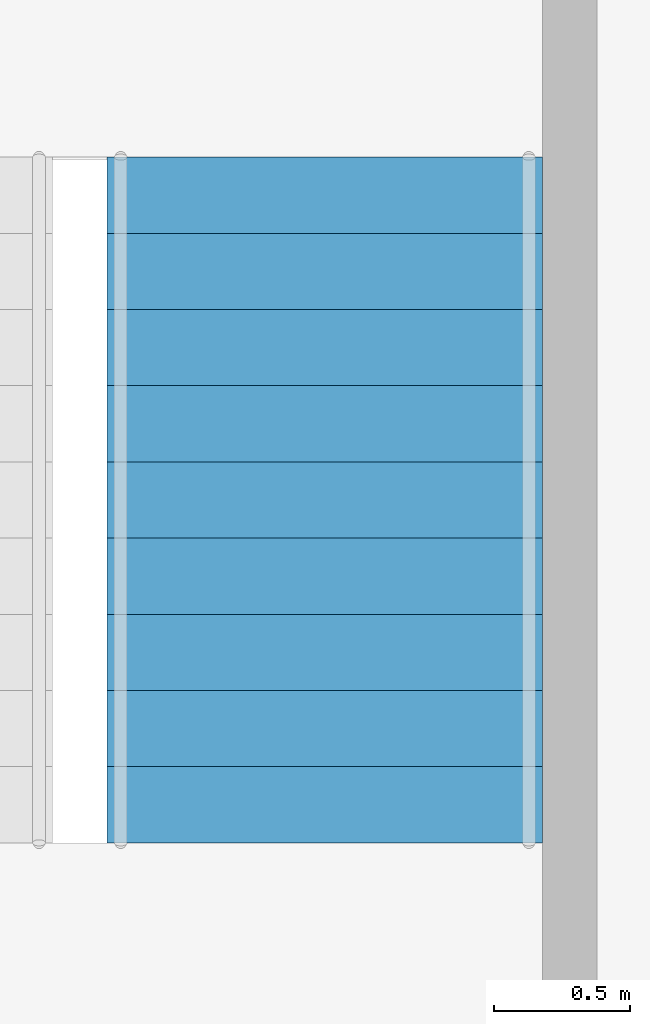
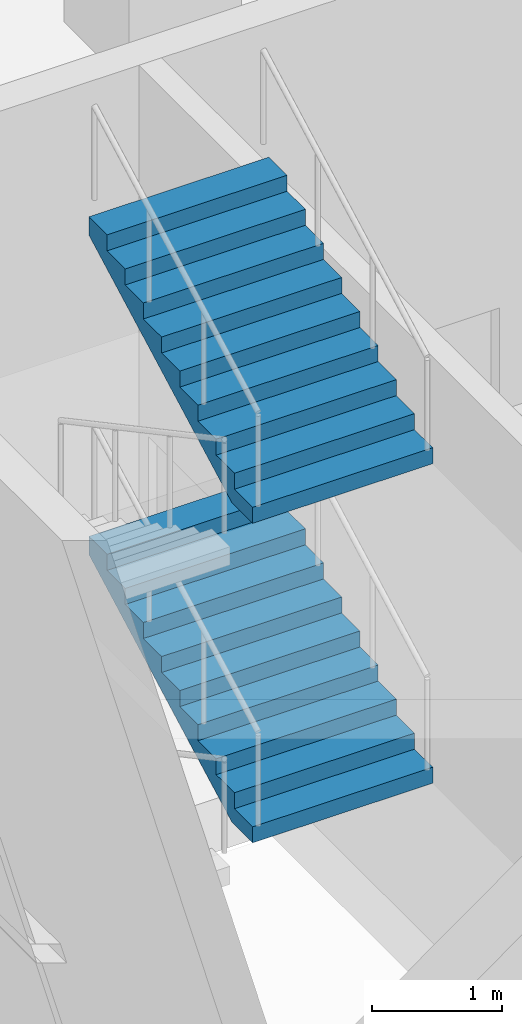
# One storey, part 75 of 100: 2 stair flights, 1 element without a shape of its own.
"""IFC4 building model written with IfcOpenShell, lengths in metres."""

from ifc_helpers import new_model, si_unit, direction, frame, origin, place, context, subcontext, project, spatial, triangles, material, type_object, element, aggregate, save


model = new_model("IFC4")

# Units and contexts
model_context = context("Model", 3, precision=1e-05, world=origin(), true_north=direction((0.0, 1.0)))
body_context = subcontext(model_context, "Body", "Model", "MODEL_VIEW")
ifc_project = project(units=[si_unit("LENGTHUNIT", "METRE"), si_unit("AREAUNIT", "SQUARE_METRE"), si_unit("VOLUMEUNIT", "CUBIC_METRE"), si_unit("PLANEANGLEUNIT", "RADIAN"), si_unit("MASSUNIT", "GRAM", prefix="KILO")], contexts=[model_context])

# Site, building, storey
site_placement = place(None, origin())
site = spatial("IfcSite", under=ifc_project, at=site_placement, CompositionType="ELEMENT")
building_placement = place(site_placement, origin())
building = spatial("IfcBuilding", under=site, at=building_placement, Name="Hakoniwa Tower and Hamabe Station Hall", CompositionType="ELEMENT")
storey_placement = place(building_placement, frame((0.0, 0.0, 9.0)))
storey = spatial("IfcBuildingStorey", under=building, at=storey_placement, Name="L02", CompositionType="ELEMENT", Elevation=9.0)

# Stair, stair flights
ifc_material_1 = material(Name="Concrete C40", Category="concrete")
stair_type = type_object("IfcStairType", Name="STAIR 1600 10X150", PredefinedType="HALF_TURN_STAIR", material=ifc_material_1)
stair_placement = place(storey_placement, origin())
stair = element("IfcStair", 1, at=stair_placement, inside=storey, type_object=stair_type, Name="Escape stair SS3 L02", PredefinedType="HALF_TURN_STAIR")
ifc_material_2 = material(Name="Concrete C40", Category="concrete")
stair_flight_type = type_object("IfcStairFlightType", Name="STAIR FLIGHT 1600", PredefinedType="STRAIGHT", material=ifc_material_2)
stair_flight_1_placement = place(storey_placement, frame((89.25, -19.419921875, 1.5), z_axis=(0.0, 0.0, 1.0), x_axis=(0.0, 1.0, 0.0)))
stair_flight_1 = element("IfcStairFlight", 2, at=stair_flight_1_placement, type_object=stair_flight_type, Name="SS3 flight 2", NumberOfRisers=10, NumberOfTreads=9, PredefinedType="STRAIGHT", RiserHeight=0.15, TreadLength=0.28, context=body_context, shape_type="Tessellation", body=[
    triangles([(0.0, 0.800048828125, 0.0), (0.280029296875, 0.800048828125, 0.0), (0.3173828125, 0.800048828125, 0.0), (0.56005859375, 0.800048828125, 0.1298828125), (0.840087890625, 0.800048828125, 0.280029296875), (1.1201171875, 0.800048828125, 0.429931640625), (1.39990234375, 0.800048828125, 0.579833984375), (1.679931640625, 0.800048828125, 0.72998046875), (1.9599609375, 0.800048828125, 0.8798828125), (2.239990234375, 0.800048828125, 1.030029296875), (2.52001953125, 0.800048828125, 1.179931640625), (2.52001953125, 0.800048828125, 1.35009765625), (2.239990234375, 0.800048828125, 1.35009765625), (2.239990234375, 0.800048828125, 1.199951171875), (1.9599609375, 0.800048828125, 1.199951171875), (1.9599609375, 0.800048828125, 1.050048828125), (1.679931640625, 0.800048828125, 1.050048828125), (1.679931640625, 0.800048828125, 0.89990234375), (1.39990234375, 0.800048828125, 0.89990234375), (1.39990234375, 0.800048828125, 0.75), (1.1201171875, 0.800048828125, 0.75), (1.1201171875, 0.800048828125, 0.60009765625), (0.840087890625, 0.800048828125, 0.60009765625), (0.840087890625, 0.800048828125, 0.449951171875), (0.56005859375, 0.800048828125, 0.449951171875), (0.56005859375, 0.800048828125, 0.300048828125), (0.3173828125, 0.800048828125, 0.300048828125), (0.280029296875, 0.800048828125, 0.300048828125), (0.280029296875, 0.800048828125, 0.14990234375), (0.0, 0.800048828125, 0.14990234375), (0.0, 0.06005859375, 0.0), (0.280029296875, 0.06005859375, 0.0), (0.3173828125, 0.06005859375, 0.0), (0.56005859375, 0.06005859375, 0.1298828125), (0.840087890625, 0.06005859375, 0.280029296875), (1.1201171875, 0.06005859375, 0.429931640625), (1.39990234375, 0.06005859375, 0.579833984375), (1.679931640625, 0.06005859375, 0.72998046875), (1.9599609375, 0.06005859375, 0.8798828125), (2.239990234375, 0.06005859375, 1.030029296875), (2.52001953125, 0.06005859375, 1.179931640625), (2.52001953125, 0.06005859375, 1.35009765625), (2.239990234375, 0.06005859375, 1.35009765625), (2.239990234375, 0.06005859375, 1.199951171875), (1.9599609375, 0.06005859375, 1.199951171875), (1.9599609375, 0.06005859375, 1.050048828125), (1.679931640625, 0.06005859375, 1.050048828125), (1.679931640625, 0.06005859375, 0.89990234375), (1.39990234375, 0.06005859375, 0.89990234375), (1.39990234375, 0.06005859375, 0.75), (1.1201171875, 0.06005859375, 0.75), (1.1201171875, 0.06005859375, 0.60009765625), (0.840087890625, 0.06005859375, 0.60009765625), (0.840087890625, 0.06005859375, 0.449951171875), (0.56005859375, 0.06005859375, 0.449951171875), (0.56005859375, 0.06005859375, 0.300048828125), (0.3173828125, 0.06005859375, 0.300048828125), (0.280029296875, 0.06005859375, 0.300048828125), (0.280029296875, 0.06005859375, 0.14990234375), (0.0, 0.06005859375, 0.14990234375), (0.0, 0.02001953125, 0.0), (0.280029296875, 0.02001953125, 0.0), (0.3173828125, 0.02001953125, 0.0), (0.56005859375, 0.02001953125, 0.1298828125), (0.840087890625, 0.02001953125, 0.280029296875), (1.1201171875, 0.02001953125, 0.429931640625), (1.39990234375, 0.02001953125, 0.579833984375), (1.679931640625, 0.02001953125, 0.72998046875), (1.9599609375, 0.02001953125, 0.8798828125), (2.239990234375, 0.02001953125, 1.030029296875), (2.52001953125, 0.02001953125, 1.179931640625), (2.52001953125, 0.02001953125, 1.35009765625), (2.239990234375, 0.02001953125, 1.35009765625), (2.239990234375, 0.02001953125, 1.199951171875), (1.9599609375, 0.02001953125, 1.199951171875), (1.9599609375, 0.02001953125, 1.050048828125), (1.679931640625, 0.02001953125, 1.050048828125), (1.679931640625, 0.02001953125, 0.89990234375), (1.39990234375, 0.02001953125, 0.89990234375), (1.39990234375, 0.02001953125, 0.75), (1.1201171875, 0.02001953125, 0.75), (1.1201171875, 0.02001953125, 0.60009765625), (0.840087890625, 0.02001953125, 0.60009765625), (0.840087890625, 0.02001953125, 0.449951171875), (0.56005859375, 0.02001953125, 0.449951171875), (0.56005859375, 0.02001953125, 0.300048828125), (0.3173828125, 0.02001953125, 0.300048828125), (0.280029296875, 0.02001953125, 0.300048828125), (0.280029296875, 0.02001953125, 0.14990234375), (0.0, 0.02001953125, 0.14990234375), (0.0, -0.02001953125, 0.0), (0.280029296875, -0.02001953125, 0.0), (0.3173828125, -0.02001953125, 0.0), (0.56005859375, -0.02001953125, 0.1298828125), (0.840087890625, -0.02001953125, 0.280029296875), (1.1201171875, -0.02001953125, 0.429931640625), (1.39990234375, -0.02001953125, 0.579833984375), (1.679931640625, -0.02001953125, 0.72998046875), (1.9599609375, -0.02001953125, 0.8798828125), (2.239990234375, -0.02001953125, 1.030029296875), (2.52001953125, -0.02001953125, 1.179931640625), (2.52001953125, -0.02001953125, 1.35009765625), (2.239990234375, -0.02001953125, 1.35009765625), (2.239990234375, -0.02001953125, 1.199951171875), (1.9599609375, -0.02001953125, 1.199951171875), (1.9599609375, -0.02001953125, 1.050048828125), (1.679931640625, -0.02001953125, 1.050048828125), (1.679931640625, -0.02001953125, 0.89990234375), (1.39990234375, -0.02001953125, 0.89990234375), (1.39990234375, -0.02001953125, 0.75), (1.1201171875, -0.02001953125, 0.75), (1.1201171875, -0.02001953125, 0.60009765625), (0.840087890625, -0.02001953125, 0.60009765625), (0.840087890625, -0.02001953125, 0.449951171875), (0.56005859375, -0.02001953125, 0.449951171875), (0.56005859375, -0.02001953125, 0.300048828125), (0.3173828125, -0.02001953125, 0.300048828125), (0.280029296875, -0.02001953125, 0.300048828125), (0.280029296875, -0.02001953125, 0.14990234375), (0.0, -0.02001953125, 0.14990234375), (0.0, -0.06005859375, 0.0), (0.280029296875, -0.06005859375, 0.0), (0.3173828125, -0.06005859375, 0.0), (0.56005859375, -0.06005859375, 0.1298828125), (0.840087890625, -0.06005859375, 0.280029296875), (1.1201171875, -0.06005859375, 0.429931640625), (1.39990234375, -0.06005859375, 0.579833984375), (1.679931640625, -0.06005859375, 0.72998046875), (1.9599609375, -0.06005859375, 0.8798828125), (2.239990234375, -0.06005859375, 1.030029296875), (2.52001953125, -0.06005859375, 1.179931640625), (2.52001953125, -0.06005859375, 1.35009765625), (2.239990234375, -0.06005859375, 1.35009765625), (2.239990234375, -0.06005859375, 1.199951171875), (1.9599609375, -0.06005859375, 1.199951171875), (1.9599609375, -0.06005859375, 1.050048828125), (1.679931640625, -0.06005859375, 1.050048828125), (1.679931640625, -0.06005859375, 0.89990234375), (1.39990234375, -0.06005859375, 0.89990234375), (1.39990234375, -0.06005859375, 0.75), (1.1201171875, -0.06005859375, 0.75), (1.1201171875, -0.06005859375, 0.60009765625), (0.840087890625, -0.06005859375, 0.60009765625), (0.840087890625, -0.06005859375, 0.449951171875), (0.56005859375, -0.06005859375, 0.449951171875), (0.56005859375, -0.06005859375, 0.300048828125), (0.3173828125, -0.06005859375, 0.300048828125), (0.280029296875, -0.06005859375, 0.300048828125), (0.280029296875, -0.06005859375, 0.14990234375), (0.0, -0.06005859375, 0.14990234375), (0.0, -0.800048828125, 0.0), (0.280029296875, -0.800048828125, 0.0), (0.3173828125, -0.800048828125, 0.0), (0.56005859375, -0.800048828125, 0.1298828125), (0.840087890625, -0.800048828125, 0.280029296875), (1.1201171875, -0.800048828125, 0.429931640625), (1.39990234375, -0.800048828125, 0.579833984375), (1.679931640625, -0.800048828125, 0.72998046875), (1.9599609375, -0.800048828125, 0.8798828125), (2.239990234375, -0.800048828125, 1.030029296875), (2.52001953125, -0.800048828125, 1.179931640625), (2.52001953125, -0.800048828125, 1.35009765625), (2.239990234375, -0.800048828125, 1.35009765625), (2.239990234375, -0.800048828125, 1.199951171875), (1.9599609375, -0.800048828125, 1.199951171875), (1.9599609375, -0.800048828125, 1.050048828125), (1.679931640625, -0.800048828125, 1.050048828125), (1.679931640625, -0.800048828125, 0.89990234375), (1.39990234375, -0.800048828125, 0.89990234375), (1.39990234375, -0.800048828125, 0.75), (1.1201171875, -0.800048828125, 0.75), (1.1201171875, -0.800048828125, 0.60009765625), (0.840087890625, -0.800048828125, 0.60009765625), (0.840087890625, -0.800048828125, 0.449951171875), (0.56005859375, -0.800048828125, 0.449951171875), (0.56005859375, -0.800048828125, 0.300048828125), (0.3173828125, -0.800048828125, 0.300048828125), (0.280029296875, -0.800048828125, 0.300048828125), (0.280029296875, -0.800048828125, 0.14990234375), (0.0, -0.800048828125, 0.14990234375)], [[2, 30, 29], [152, 179, 180], [2, 1, 30], [152, 180, 151], [3, 28, 27], [153, 177, 178], [3, 29, 28], [153, 178, 179], [3, 2, 29], [153, 179, 152], [4, 27, 26], [154, 176, 177], [4, 3, 27], [154, 177, 153], [5, 25, 24], [155, 174, 175], [5, 26, 25], [155, 175, 176], [5, 4, 26], [155, 176, 154], [6, 23, 22], [156, 172, 173], [6, 24, 23], [156, 173, 174], [6, 5, 24], [156, 174, 155], [7, 21, 20], [157, 170, 171], [7, 22, 21], [157, 171, 172], [7, 6, 22], [157, 172, 156], [8, 19, 18], [158, 168, 169], [8, 20, 19], [158, 169, 170], [8, 7, 20], [158, 170, 157], [9, 17, 16], [159, 166, 167], [9, 18, 17], [159, 167, 168], [9, 8, 18], [159, 168, 158], [10, 15, 14], [160, 164, 165], [10, 16, 15], [160, 165, 166], [10, 9, 16], [160, 166, 159], [11, 13, 12], [161, 162, 163], [11, 14, 13], [161, 163, 164], [11, 10, 14], [161, 164, 160], [1, 2, 32], [1, 32, 31], [31, 32, 62], [31, 62, 61], [61, 62, 92], [61, 92, 91], [91, 92, 122], [91, 122, 121], [121, 122, 152], [121, 152, 151], [2, 3, 33], [2, 33, 32], [32, 33, 63], [32, 63, 62], [62, 63, 93], [62, 93, 92], [92, 93, 123], [92, 123, 122], [122, 123, 153], [122, 153, 152], [3, 4, 34], [3, 34, 33], [33, 34, 64], [33, 64, 63], [63, 64, 94], [63, 94, 93], [93, 94, 124], [93, 124, 123], [123, 124, 154], [123, 154, 153], [4, 5, 35], [4, 35, 34], [34, 35, 65], [34, 65, 64], [64, 65, 95], [64, 95, 94], [94, 95, 125], [94, 125, 124], [124, 125, 155], [124, 155, 154], [5, 6, 36], [5, 36, 35], [35, 36, 66], [35, 66, 65], [65, 66, 96], [65, 96, 95], [95, 96, 126], [95, 126, 125], [125, 126, 156], [125, 156, 155], [6, 7, 37], [6, 37, 36], [36, 37, 67], [36, 67, 66], [66, 67, 97], [66, 97, 96], [96, 97, 127], [96, 127, 126], [126, 127, 157], [126, 157, 156], [7, 8, 38], [7, 38, 37], [37, 38, 68], [37, 68, 67], [67, 68, 98], [67, 98, 97], [97, 98, 128], [97, 128, 127], [127, 128, 158], [127, 158, 157], [8, 9, 39], [8, 39, 38], [38, 39, 69], [38, 69, 68], [68, 69, 99], [68, 99, 98], [98, 99, 129], [98, 129, 128], [128, 129, 159], [128, 159, 158], [9, 10, 40], [9, 40, 39], [39, 40, 70], [39, 70, 69], [69, 70, 100], [69, 100, 99], [99, 100, 130], [99, 130, 129], [129, 130, 160], [129, 160, 159], [10, 11, 41], [10, 41, 40], [40, 41, 71], [40, 71, 70], [70, 71, 101], [70, 101, 100], [100, 101, 131], [100, 131, 130], [130, 131, 161], [130, 161, 160], [11, 12, 42], [11, 42, 41], [41, 42, 72], [41, 72, 71], [71, 72, 102], [71, 102, 101], [101, 102, 132], [101, 132, 131], [131, 132, 162], [131, 162, 161], [12, 13, 43], [12, 43, 42], [42, 43, 73], [42, 73, 72], [72, 73, 103], [72, 103, 102], [102, 103, 133], [102, 133, 132], [132, 133, 163], [132, 163, 162], [13, 14, 44], [13, 44, 43], [43, 44, 74], [43, 74, 73], [73, 74, 104], [73, 104, 103], [103, 104, 134], [103, 134, 133], [133, 134, 164], [133, 164, 163], [14, 15, 45], [14, 45, 44], [44, 45, 75], [44, 75, 74], [74, 75, 105], [74, 105, 104], [104, 105, 135], [104, 135, 134], [134, 135, 165], [134, 165, 164], [15, 16, 46], [15, 46, 45], [45, 46, 76], [45, 76, 75], [75, 76, 106], [75, 106, 105], [105, 106, 136], [105, 136, 135], [135, 136, 166], [135, 166, 165], [16, 17, 47], [16, 47, 46], [46, 47, 77], [46, 77, 76], [76, 77, 107], [76, 107, 106], [106, 107, 137], [106, 137, 136], [136, 137, 167], [136, 167, 166], [17, 18, 48], [17, 48, 47], [47, 48, 78], [47, 78, 77], [77, 78, 108], [77, 108, 107], [107, 108, 138], [107, 138, 137], [137, 138, 168], [137, 168, 167], [18, 19, 49], [18, 49, 48], [48, 49, 79], [48, 79, 78], [78, 79, 109], [78, 109, 108], [108, 109, 139], [108, 139, 138], [138, 139, 169], [138, 169, 168], [19, 20, 50], [19, 50, 49], [49, 50, 80], [49, 80, 79], [79, 80, 110], [79, 110, 109], [109, 110, 140], [109, 140, 139], [139, 140, 170], [139, 170, 169], [20, 21, 51], [20, 51, 50], [50, 51, 81], [50, 81, 80], [80, 81, 111], [80, 111, 110], [110, 111, 141], [110, 141, 140], [140, 141, 171], [140, 171, 170], [21, 22, 52], [21, 52, 51], [51, 52, 82], [51, 82, 81], [81, 82, 112], [81, 112, 111], [111, 112, 142], [111, 142, 141], [141, 142, 172], [141, 172, 171], [22, 23, 53], [22, 53, 52], [52, 53, 83], [52, 83, 82], [82, 83, 113], [82, 113, 112], [112, 113, 143], [112, 143, 142], [142, 143, 173], [142, 173, 172], [23, 24, 54], [23, 54, 53], [53, 54, 84], [53, 84, 83], [83, 84, 114], [83, 114, 113], [113, 114, 144], [113, 144, 143], [143, 144, 174], [143, 174, 173], [24, 25, 55], [24, 55, 54], [54, 55, 85], [54, 85, 84], [84, 85, 115], [84, 115, 114], [114, 115, 145], [114, 145, 144], [144, 145, 175], [144, 175, 174], [25, 26, 56], [25, 56, 55], [55, 56, 86], [55, 86, 85], [85, 86, 116], [85, 116, 115], [115, 116, 146], [115, 146, 145], [145, 146, 176], [145, 176, 175], [26, 27, 57], [26, 57, 56], [56, 57, 87], [56, 87, 86], [86, 87, 117], [86, 117, 116], [116, 117, 147], [116, 147, 146], [146, 147, 177], [146, 177, 176], [27, 28, 58], [27, 58, 57], [57, 58, 88], [57, 88, 87], [87, 88, 118], [87, 118, 117], [117, 118, 148], [117, 148, 147], [147, 148, 178], [147, 178, 177], [28, 29, 59], [28, 59, 58], [58, 59, 89], [58, 89, 88], [88, 89, 119], [88, 119, 118], [118, 119, 149], [118, 149, 148], [148, 149, 179], [148, 179, 178], [29, 30, 60], [29, 60, 59], [59, 60, 90], [59, 90, 89], [89, 90, 120], [89, 120, 119], [119, 120, 150], [119, 150, 149], [149, 150, 180], [149, 180, 179], [30, 1, 31], [30, 31, 60], [60, 31, 61], [60, 61, 90], [90, 61, 91], [90, 91, 120], [120, 91, 121], [120, 121, 150], [150, 121, 151], [150, 151, 180]], closed=True),
])
stair_flight_2_placement = place(storey_placement, frame((89.25, -19.419921875, 4.5), z_axis=(0.0, 0.0, 1.0), x_axis=(0.0, 1.0, 0.0)))
stair_flight_2 = element("IfcStairFlight", 3, at=stair_flight_2_placement, type_object=stair_flight_type, Name="SS3 flight 4", NumberOfRisers=10, NumberOfTreads=9, PredefinedType="STRAIGHT", RiserHeight=0.15, TreadLength=0.28, context=body_context, shape_type="Tessellation", body=[
    triangles([(0.0, 0.800048828125, 0.0), (0.280029296875, 0.800048828125, 0.0), (0.3173828125, 0.800048828125, 0.0), (0.56005859375, 0.800048828125, 0.1298828125), (0.840087890625, 0.800048828125, 0.280029296875), (1.1201171875, 0.800048828125, 0.429931640625), (1.39990234375, 0.800048828125, 0.579833984375), (1.679931640625, 0.800048828125, 0.72998046875), (1.9599609375, 0.800048828125, 0.8798828125), (2.239990234375, 0.800048828125, 1.030029296875), (2.52001953125, 0.800048828125, 1.179931640625), (2.52001953125, 0.800048828125, 1.35009765625), (2.239990234375, 0.800048828125, 1.35009765625), (2.239990234375, 0.800048828125, 1.199951171875), (1.9599609375, 0.800048828125, 1.199951171875), (1.9599609375, 0.800048828125, 1.050048828125), (1.679931640625, 0.800048828125, 1.050048828125), (1.679931640625, 0.800048828125, 0.89990234375), (1.39990234375, 0.800048828125, 0.89990234375), (1.39990234375, 0.800048828125, 0.75), (1.1201171875, 0.800048828125, 0.75), (1.1201171875, 0.800048828125, 0.60009765625), (0.840087890625, 0.800048828125, 0.60009765625), (0.840087890625, 0.800048828125, 0.449951171875), (0.56005859375, 0.800048828125, 0.449951171875), (0.56005859375, 0.800048828125, 0.300048828125), (0.3173828125, 0.800048828125, 0.300048828125), (0.280029296875, 0.800048828125, 0.300048828125), (0.280029296875, 0.800048828125, 0.14990234375), (0.0, 0.800048828125, 0.14990234375), (0.0, 0.06005859375, 0.0), (0.280029296875, 0.06005859375, 0.0), (0.3173828125, 0.06005859375, 0.0), (0.56005859375, 0.06005859375, 0.1298828125), (0.840087890625, 0.06005859375, 0.280029296875), (1.1201171875, 0.06005859375, 0.429931640625), (1.39990234375, 0.06005859375, 0.579833984375), (1.679931640625, 0.06005859375, 0.72998046875), (1.9599609375, 0.06005859375, 0.8798828125), (2.239990234375, 0.06005859375, 1.030029296875), (2.52001953125, 0.06005859375, 1.179931640625), (2.52001953125, 0.06005859375, 1.35009765625), (2.239990234375, 0.06005859375, 1.35009765625), (2.239990234375, 0.06005859375, 1.199951171875), (1.9599609375, 0.06005859375, 1.199951171875), (1.9599609375, 0.06005859375, 1.050048828125), (1.679931640625, 0.06005859375, 1.050048828125), (1.679931640625, 0.06005859375, 0.89990234375), (1.39990234375, 0.06005859375, 0.89990234375), (1.39990234375, 0.06005859375, 0.75), (1.1201171875, 0.06005859375, 0.75), (1.1201171875, 0.06005859375, 0.60009765625), (0.840087890625, 0.06005859375, 0.60009765625), (0.840087890625, 0.06005859375, 0.449951171875), (0.56005859375, 0.06005859375, 0.449951171875), (0.56005859375, 0.06005859375, 0.300048828125), (0.3173828125, 0.06005859375, 0.300048828125), (0.280029296875, 0.06005859375, 0.300048828125), (0.280029296875, 0.06005859375, 0.14990234375), (0.0, 0.06005859375, 0.14990234375), (0.0, 0.02001953125, 0.0), (0.280029296875, 0.02001953125, 0.0), (0.3173828125, 0.02001953125, 0.0), (0.56005859375, 0.02001953125, 0.1298828125), (0.840087890625, 0.02001953125, 0.280029296875), (1.1201171875, 0.02001953125, 0.429931640625), (1.39990234375, 0.02001953125, 0.579833984375), (1.679931640625, 0.02001953125, 0.72998046875), (1.9599609375, 0.02001953125, 0.8798828125), (2.239990234375, 0.02001953125, 1.030029296875), (2.52001953125, 0.02001953125, 1.179931640625), (2.52001953125, 0.02001953125, 1.35009765625), (2.239990234375, 0.02001953125, 1.35009765625), (2.239990234375, 0.02001953125, 1.199951171875), (1.9599609375, 0.02001953125, 1.199951171875), (1.9599609375, 0.02001953125, 1.050048828125), (1.679931640625, 0.02001953125, 1.050048828125), (1.679931640625, 0.02001953125, 0.89990234375), (1.39990234375, 0.02001953125, 0.89990234375), (1.39990234375, 0.02001953125, 0.75), (1.1201171875, 0.02001953125, 0.75), (1.1201171875, 0.02001953125, 0.60009765625), (0.840087890625, 0.02001953125, 0.60009765625), (0.840087890625, 0.02001953125, 0.449951171875), (0.56005859375, 0.02001953125, 0.449951171875), (0.56005859375, 0.02001953125, 0.300048828125), (0.3173828125, 0.02001953125, 0.300048828125), (0.280029296875, 0.02001953125, 0.300048828125), (0.280029296875, 0.02001953125, 0.14990234375), (0.0, 0.02001953125, 0.14990234375), (0.0, -0.02001953125, 0.0), (0.280029296875, -0.02001953125, 0.0), (0.3173828125, -0.02001953125, 0.0), (0.56005859375, -0.02001953125, 0.1298828125), (0.840087890625, -0.02001953125, 0.280029296875), (1.1201171875, -0.02001953125, 0.429931640625), (1.39990234375, -0.02001953125, 0.579833984375), (1.679931640625, -0.02001953125, 0.72998046875), (1.9599609375, -0.02001953125, 0.8798828125), (2.239990234375, -0.02001953125, 1.030029296875), (2.52001953125, -0.02001953125, 1.179931640625), (2.52001953125, -0.02001953125, 1.35009765625), (2.239990234375, -0.02001953125, 1.35009765625), (2.239990234375, -0.02001953125, 1.199951171875), (1.9599609375, -0.02001953125, 1.199951171875), (1.9599609375, -0.02001953125, 1.050048828125), (1.679931640625, -0.02001953125, 1.050048828125), (1.679931640625, -0.02001953125, 0.89990234375), (1.39990234375, -0.02001953125, 0.89990234375), (1.39990234375, -0.02001953125, 0.75), (1.1201171875, -0.02001953125, 0.75), (1.1201171875, -0.02001953125, 0.60009765625), (0.840087890625, -0.02001953125, 0.60009765625), (0.840087890625, -0.02001953125, 0.449951171875), (0.56005859375, -0.02001953125, 0.449951171875), (0.56005859375, -0.02001953125, 0.300048828125), (0.3173828125, -0.02001953125, 0.300048828125), (0.280029296875, -0.02001953125, 0.300048828125), (0.280029296875, -0.02001953125, 0.14990234375), (0.0, -0.02001953125, 0.14990234375), (0.0, -0.06005859375, 0.0), (0.280029296875, -0.06005859375, 0.0), (0.3173828125, -0.06005859375, 0.0), (0.56005859375, -0.06005859375, 0.1298828125), (0.840087890625, -0.06005859375, 0.280029296875), (1.1201171875, -0.06005859375, 0.429931640625), (1.39990234375, -0.06005859375, 0.579833984375), (1.679931640625, -0.06005859375, 0.72998046875), (1.9599609375, -0.06005859375, 0.8798828125), (2.239990234375, -0.06005859375, 1.030029296875), (2.52001953125, -0.06005859375, 1.179931640625), (2.52001953125, -0.06005859375, 1.35009765625), (2.239990234375, -0.06005859375, 1.35009765625), (2.239990234375, -0.06005859375, 1.199951171875), (1.9599609375, -0.06005859375, 1.199951171875), (1.9599609375, -0.06005859375, 1.050048828125), (1.679931640625, -0.06005859375, 1.050048828125), (1.679931640625, -0.06005859375, 0.89990234375), (1.39990234375, -0.06005859375, 0.89990234375), (1.39990234375, -0.06005859375, 0.75), (1.1201171875, -0.06005859375, 0.75), (1.1201171875, -0.06005859375, 0.60009765625), (0.840087890625, -0.06005859375, 0.60009765625), (0.840087890625, -0.06005859375, 0.449951171875), (0.56005859375, -0.06005859375, 0.449951171875), (0.56005859375, -0.06005859375, 0.300048828125), (0.3173828125, -0.06005859375, 0.300048828125), (0.280029296875, -0.06005859375, 0.300048828125), (0.280029296875, -0.06005859375, 0.14990234375), (0.0, -0.06005859375, 0.14990234375), (0.0, -0.800048828125, 0.0), (0.280029296875, -0.800048828125, 0.0), (0.3173828125, -0.800048828125, 0.0), (0.56005859375, -0.800048828125, 0.1298828125), (0.840087890625, -0.800048828125, 0.280029296875), (1.1201171875, -0.800048828125, 0.429931640625), (1.39990234375, -0.800048828125, 0.579833984375), (1.679931640625, -0.800048828125, 0.72998046875), (1.9599609375, -0.800048828125, 0.8798828125), (2.239990234375, -0.800048828125, 1.030029296875), (2.52001953125, -0.800048828125, 1.179931640625), (2.52001953125, -0.800048828125, 1.35009765625), (2.239990234375, -0.800048828125, 1.35009765625), (2.239990234375, -0.800048828125, 1.199951171875), (1.9599609375, -0.800048828125, 1.199951171875), (1.9599609375, -0.800048828125, 1.050048828125), (1.679931640625, -0.800048828125, 1.050048828125), (1.679931640625, -0.800048828125, 0.89990234375), (1.39990234375, -0.800048828125, 0.89990234375), (1.39990234375, -0.800048828125, 0.75), (1.1201171875, -0.800048828125, 0.75), (1.1201171875, -0.800048828125, 0.60009765625), (0.840087890625, -0.800048828125, 0.60009765625), (0.840087890625, -0.800048828125, 0.449951171875), (0.56005859375, -0.800048828125, 0.449951171875), (0.56005859375, -0.800048828125, 0.300048828125), (0.3173828125, -0.800048828125, 0.300048828125), (0.280029296875, -0.800048828125, 0.300048828125), (0.280029296875, -0.800048828125, 0.14990234375), (0.0, -0.800048828125, 0.14990234375)], [[2, 30, 29], [152, 179, 180], [2, 1, 30], [152, 180, 151], [3, 28, 27], [153, 177, 178], [3, 29, 28], [153, 178, 179], [3, 2, 29], [153, 179, 152], [4, 27, 26], [154, 176, 177], [4, 3, 27], [154, 177, 153], [5, 25, 24], [155, 174, 175], [5, 26, 25], [155, 175, 176], [5, 4, 26], [155, 176, 154], [6, 23, 22], [156, 172, 173], [6, 24, 23], [156, 173, 174], [6, 5, 24], [156, 174, 155], [7, 21, 20], [157, 170, 171], [7, 22, 21], [157, 171, 172], [7, 6, 22], [157, 172, 156], [8, 19, 18], [158, 168, 169], [8, 20, 19], [158, 169, 170], [8, 7, 20], [158, 170, 157], [9, 17, 16], [159, 166, 167], [9, 18, 17], [159, 167, 168], [9, 8, 18], [159, 168, 158], [10, 15, 14], [160, 164, 165], [10, 16, 15], [160, 165, 166], [10, 9, 16], [160, 166, 159], [11, 13, 12], [161, 162, 163], [11, 14, 13], [161, 163, 164], [11, 10, 14], [161, 164, 160], [1, 2, 32], [1, 32, 31], [31, 32, 62], [31, 62, 61], [61, 62, 92], [61, 92, 91], [91, 92, 122], [91, 122, 121], [121, 122, 152], [121, 152, 151], [2, 3, 33], [2, 33, 32], [32, 33, 63], [32, 63, 62], [62, 63, 93], [62, 93, 92], [92, 93, 123], [92, 123, 122], [122, 123, 153], [122, 153, 152], [3, 4, 34], [3, 34, 33], [33, 34, 64], [33, 64, 63], [63, 64, 94], [63, 94, 93], [93, 94, 124], [93, 124, 123], [123, 124, 154], [123, 154, 153], [4, 5, 35], [4, 35, 34], [34, 35, 65], [34, 65, 64], [64, 65, 95], [64, 95, 94], [94, 95, 125], [94, 125, 124], [124, 125, 155], [124, 155, 154], [5, 6, 36], [5, 36, 35], [35, 36, 66], [35, 66, 65], [65, 66, 96], [65, 96, 95], [95, 96, 126], [95, 126, 125], [125, 126, 156], [125, 156, 155], [6, 7, 37], [6, 37, 36], [36, 37, 67], [36, 67, 66], [66, 67, 97], [66, 97, 96], [96, 97, 127], [96, 127, 126], [126, 127, 157], [126, 157, 156], [7, 8, 38], [7, 38, 37], [37, 38, 68], [37, 68, 67], [67, 68, 98], [67, 98, 97], [97, 98, 128], [97, 128, 127], [127, 128, 158], [127, 158, 157], [8, 9, 39], [8, 39, 38], [38, 39, 69], [38, 69, 68], [68, 69, 99], [68, 99, 98], [98, 99, 129], [98, 129, 128], [128, 129, 159], [128, 159, 158], [9, 10, 40], [9, 40, 39], [39, 40, 70], [39, 70, 69], [69, 70, 100], [69, 100, 99], [99, 100, 130], [99, 130, 129], [129, 130, 160], [129, 160, 159], [10, 11, 41], [10, 41, 40], [40, 41, 71], [40, 71, 70], [70, 71, 101], [70, 101, 100], [100, 101, 131], [100, 131, 130], [130, 131, 161], [130, 161, 160], [11, 12, 42], [11, 42, 41], [41, 42, 72], [41, 72, 71], [71, 72, 102], [71, 102, 101], [101, 102, 132], [101, 132, 131], [131, 132, 162], [131, 162, 161], [12, 13, 43], [12, 43, 42], [42, 43, 73], [42, 73, 72], [72, 73, 103], [72, 103, 102], [102, 103, 133], [102, 133, 132], [132, 133, 163], [132, 163, 162], [13, 14, 44], [13, 44, 43], [43, 44, 74], [43, 74, 73], [73, 74, 104], [73, 104, 103], [103, 104, 134], [103, 134, 133], [133, 134, 164], [133, 164, 163], [14, 15, 45], [14, 45, 44], [44, 45, 75], [44, 75, 74], [74, 75, 105], [74, 105, 104], [104, 105, 135], [104, 135, 134], [134, 135, 165], [134, 165, 164], [15, 16, 46], [15, 46, 45], [45, 46, 76], [45, 76, 75], [75, 76, 106], [75, 106, 105], [105, 106, 136], [105, 136, 135], [135, 136, 166], [135, 166, 165], [16, 17, 47], [16, 47, 46], [46, 47, 77], [46, 77, 76], [76, 77, 107], [76, 107, 106], [106, 107, 137], [106, 137, 136], [136, 137, 167], [136, 167, 166], [17, 18, 48], [17, 48, 47], [47, 48, 78], [47, 78, 77], [77, 78, 108], [77, 108, 107], [107, 108, 138], [107, 138, 137], [137, 138, 168], [137, 168, 167], [18, 19, 49], [18, 49, 48], [48, 49, 79], [48, 79, 78], [78, 79, 109], [78, 109, 108], [108, 109, 139], [108, 139, 138], [138, 139, 169], [138, 169, 168], [19, 20, 50], [19, 50, 49], [49, 50, 80], [49, 80, 79], [79, 80, 110], [79, 110, 109], [109, 110, 140], [109, 140, 139], [139, 140, 170], [139, 170, 169], [20, 21, 51], [20, 51, 50], [50, 51, 81], [50, 81, 80], [80, 81, 111], [80, 111, 110], [110, 111, 141], [110, 141, 140], [140, 141, 171], [140, 171, 170], [21, 22, 52], [21, 52, 51], [51, 52, 82], [51, 82, 81], [81, 82, 112], [81, 112, 111], [111, 112, 142], [111, 142, 141], [141, 142, 172], [141, 172, 171], [22, 23, 53], [22, 53, 52], [52, 53, 83], [52, 83, 82], [82, 83, 113], [82, 113, 112], [112, 113, 143], [112, 143, 142], [142, 143, 173], [142, 173, 172], [23, 24, 54], [23, 54, 53], [53, 54, 84], [53, 84, 83], [83, 84, 114], [83, 114, 113], [113, 114, 144], [113, 144, 143], [143, 144, 174], [143, 174, 173], [24, 25, 55], [24, 55, 54], [54, 55, 85], [54, 85, 84], [84, 85, 115], [84, 115, 114], [114, 115, 145], [114, 145, 144], [144, 145, 175], [144, 175, 174], [25, 26, 56], [25, 56, 55], [55, 56, 86], [55, 86, 85], [85, 86, 116], [85, 116, 115], [115, 116, 146], [115, 146, 145], [145, 146, 176], [145, 176, 175], [26, 27, 57], [26, 57, 56], [56, 57, 87], [56, 87, 86], [86, 87, 117], [86, 117, 116], [116, 117, 147], [116, 147, 146], [146, 147, 177], [146, 177, 176], [27, 28, 58], [27, 58, 57], [57, 58, 88], [57, 88, 87], [87, 88, 118], [87, 118, 117], [117, 118, 148], [117, 148, 147], [147, 148, 178], [147, 178, 177], [28, 29, 59], [28, 59, 58], [58, 59, 89], [58, 89, 88], [88, 89, 119], [88, 119, 118], [118, 119, 149], [118, 149, 148], [148, 149, 179], [148, 179, 178], [29, 30, 60], [29, 60, 59], [59, 60, 90], [59, 90, 89], [89, 90, 120], [89, 120, 119], [119, 120, 150], [119, 150, 149], [149, 150, 180], [149, 180, 179], [30, 1, 31], [30, 31, 60], [60, 31, 61], [60, 61, 90], [90, 61, 91], [90, 91, 120], [120, 91, 121], [120, 121, 150], [150, 121, 151], [150, 151, 180]], closed=True),
])
aggregate(stair, [stair_flight_1, stair_flight_2])

save(model, "model.ifc")
